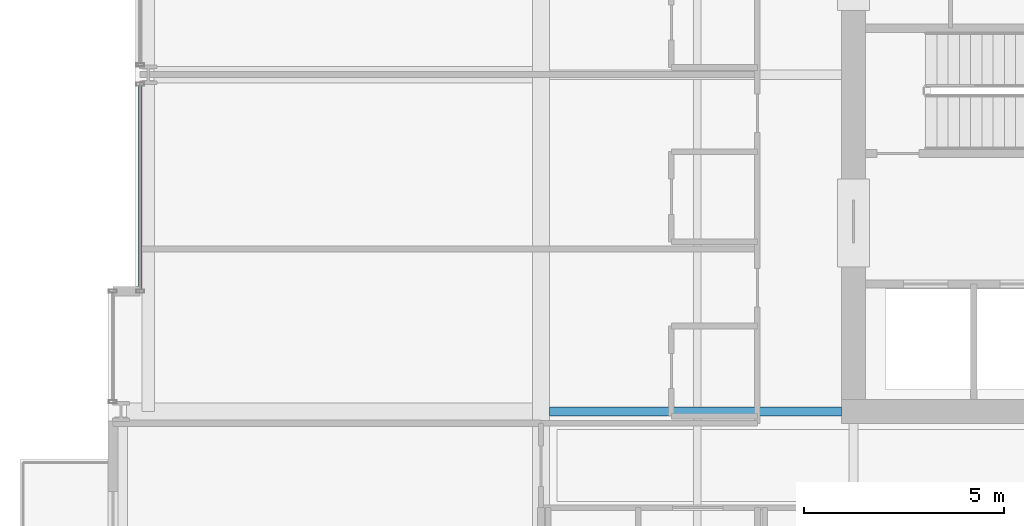
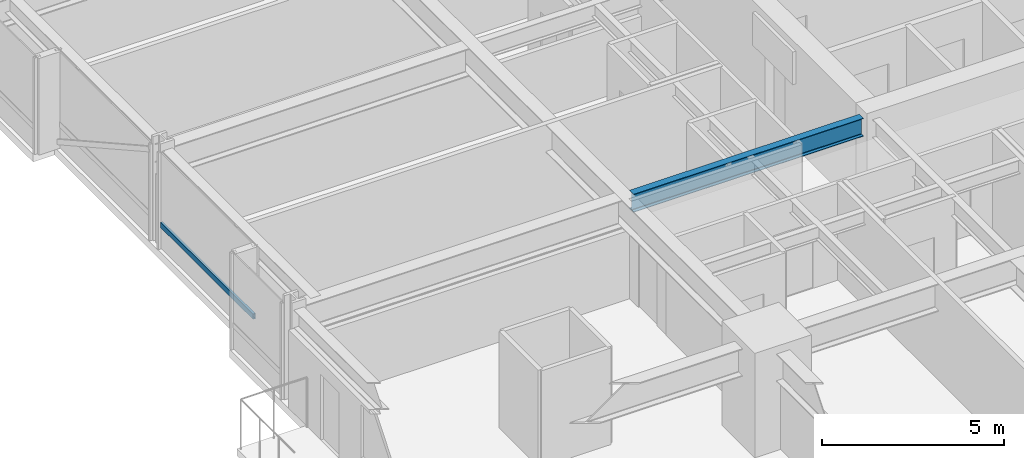
# One storey, part 8 of 39: 1 beam, 1 member, 1 element without a shape of its own.
"""IFC4 building model written with IfcOpenShell, lengths in metres."""

from ifc_helpers import new_model, si_unit, direction, frame, origin, origin_2d, place, context, subcontext, project, spatial, hollow_rectangle, i_section, extrude, material, layer, layer_set, material_profile, profile_set, type_object, element, aggregate, save


model = new_model("IFC4")

# Units and contexts
model_context = context("Model", 3, precision=1e-05, world=origin(), true_north=direction((0.0, 1.0)))
body_context = subcontext(model_context, "Body", "Model", "MODEL_VIEW")
ifc_project = project(units=[si_unit("LENGTHUNIT", "METRE"), si_unit("AREAUNIT", "SQUARE_METRE"), si_unit("VOLUMEUNIT", "CUBIC_METRE"), si_unit("PLANEANGLEUNIT", "RADIAN"), si_unit("MASSUNIT", "GRAM", prefix="KILO")], contexts=[model_context])

# Site, building, storey
site_placement = place(None, origin())
site = spatial("IfcSite", under=ifc_project, at=site_placement, CompositionType="ELEMENT")
building_placement = place(site_placement, origin())
building = spatial("IfcBuilding", under=site, at=building_placement, Name="Drelvath Grand Hotel", CompositionType="ELEMENT")
storey_placement = place(building_placement, frame((0.0, 0.0, 36.699951171875)))
storey = spatial("IfcBuildingStorey", under=building, at=storey_placement, Name="L07", CompositionType="ELEMENT", Elevation=36.699951171875)

# Curtain wall, member
ifc_material_1 = material(Name="Warm Bronze Anodised Aluminium Frame", Category="aluminium")
ifc_layer = layer(ifc_material_1, 0.199951171875)
ifc_layer_set = layer_set([ifc_layer], Name="Warm Bronze Anodised Aluminium Frame")
curtain_wall_type = type_object("IfcCurtainWallType", Name="Stick Curtain Wall CW-02 Warm Bronze Low-Rise", PredefinedType="NOTDEFINED", material=ifc_layer_set)
curtain_wall_placement = place(storey_placement, origin())
curtain_wall = element("IfcCurtainWall", 1, at=curtain_wall_placement, inside=storey, type_object=curtain_wall_type, Name="L07 CW-02 Curtain Wall CW02-L07-WM1", PredefinedType="NOTDEFINED")
ifc_material_profile_1 = material_profile(ifc_material_1, hollow_rectangle(XDim=0.074951171875, YDim=0.179931640625, WallThickness=0.0048828125, at=origin_2d()), Name="HSS180X75X5")
ifc_profile_set_1 = profile_set([ifc_material_profile_1], Name="Warm Bronze Anodised Aluminium Frame")
member_type = type_object("IfcMemberType", Name="Curtain Wall Horizontal Transom CW-02 HSS180X75X5", PredefinedType="USERDEFINED", material=ifc_profile_set_1)
member_placement = place(storey_placement, frame((-26.199951171875, 21.639892578125, 0.81005859375), z_axis=(0.0, 1.0, 0.0), x_axis=(-1.0, 0.0, 0.0)))
member = element("IfcMember", 2, at=member_placement, type_object=member_type, Name="CW02-L07-WM1 Sill Transom", ObjectType="TRANSOM", PredefinedType="USERDEFINED", context=body_context, shape_type="SweptSolid", body=[
    extrude(hollow_rectangle(XDim=0.074951171875, YDim=0.179931640625, WallThickness=0.0048828125, at=origin_2d()), origin(), (0.0, 0.0, 1.0), 5.0791015625),
])
aggregate(curtain_wall, [member])

# Beam
ifc_material_2 = material(Name="Steel ASTM A992 Gr 50", Category="steel")
ifc_material_profile_2 = material_profile(ifc_material_2, i_section(OverallWidth=0.228271484375, OverallDepth=0.607666015625, WebThickness=0.01123046875, FlangeThickness=0.017333984375, FilletRadius=0.02001953125, at=origin_2d()), Name="W24X76")
ifc_profile_set_2 = profile_set([ifc_material_profile_2], Name="Steel ASTM A992 Gr 50")
beam_type = type_object("IfcBeamType", Name="Primary Floor Girder W24X76", PredefinedType="BEAM", material=ifc_profile_set_2)
beam_placement = place(storey_placement, frame((-15.99072265625, 18.60009765625, 2.936279296875), z_axis=(1.0, 0.0, 0.0), x_axis=(0.0, 1.0, 0.0)))
element("IfcBeam", 3, at=beam_placement, inside=storey, type_object=beam_type, Name="L07 West Core Tie D", PredefinedType="BEAM", context=body_context, shape_type="SweptSolid", body=[
    extrude(i_section(OverallWidth=0.228271484375, OverallDepth=0.607666015625, WebThickness=0.01123046875, FlangeThickness=0.017333984375, FilletRadius=0.02001953125, at=origin_2d()), origin(), (0.0, 0.0, 1.0), 7.290771484375),
])

save(model, "model.ifc")
